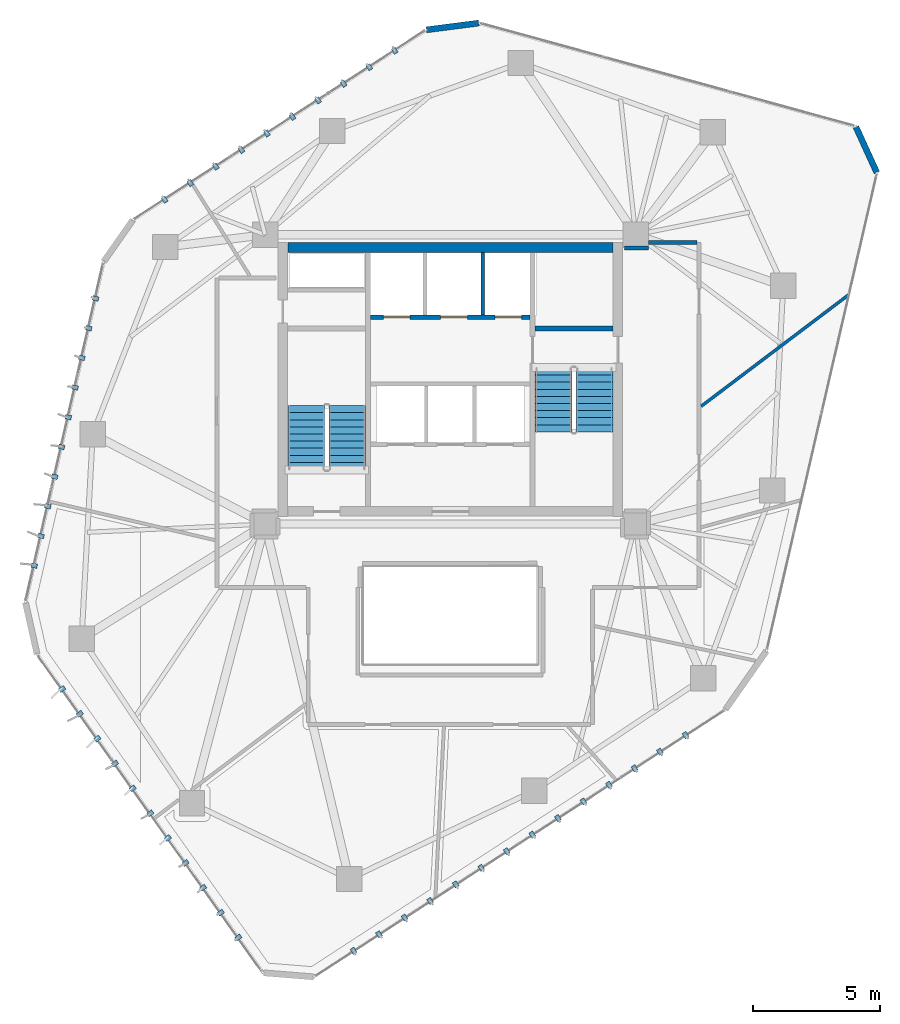
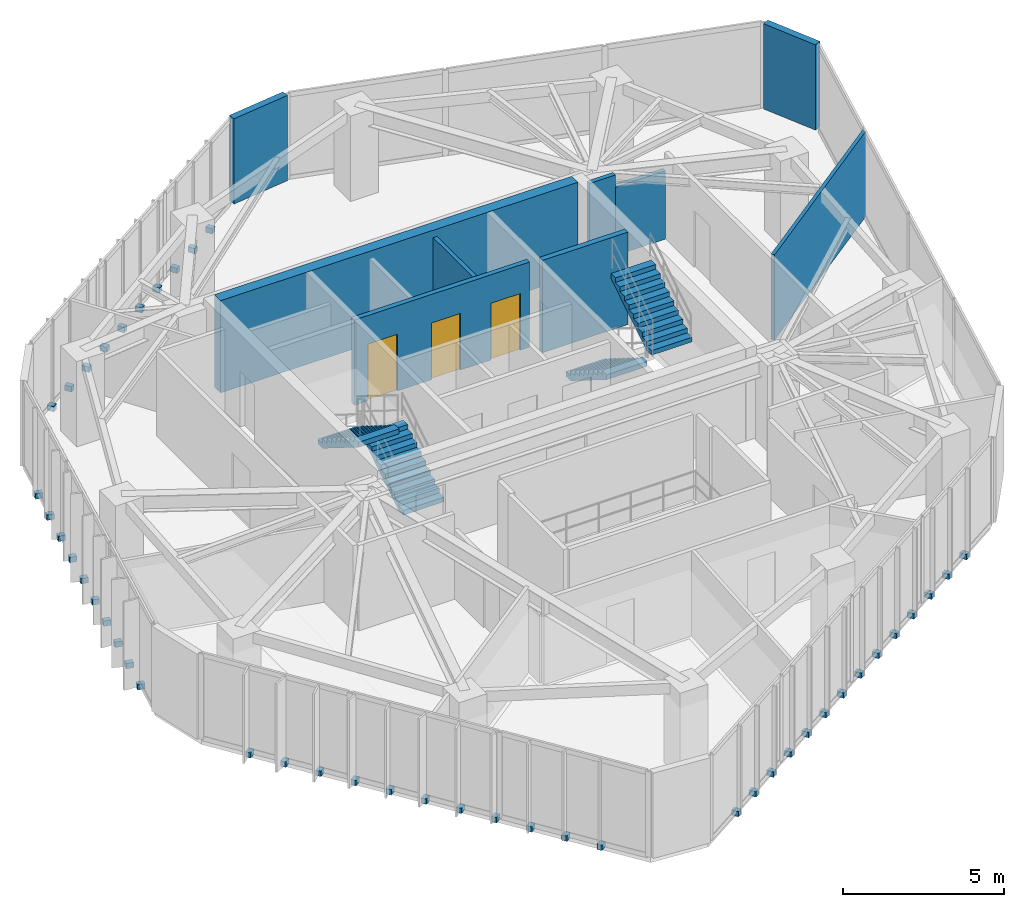
# One storey, part 16 of 18: 45 discrete accessories, 9 walls, 4 stair flights, 3 doors, 3 openings, 2 elements without a shape of their own.
"""IFC4 building model written with IfcOpenShell, lengths in metres."""

from ifc_helpers import new_model, si_unit, direction, frame, frame_2d, origin, origin_2d, place, context, subcontext, project, spatial, polyline, rectangle, outline, extrude, source, transform, mapped, material, layer, layer_set, type_object, type_shapes, element, fill, aggregate, save


model = new_model("IFC4")

# Units and contexts
model_context = context("Model", 3, precision=1e-05, world=origin(), true_north=direction((0.0, 1.0)))
body_context = subcontext(model_context, "Body", "Model", "MODEL_VIEW")
ifc_project = project(units=[si_unit("LENGTHUNIT", "METRE"), si_unit("AREAUNIT", "SQUARE_METRE"), si_unit("VOLUMEUNIT", "CUBIC_METRE"), si_unit("PLANEANGLEUNIT", "RADIAN"), si_unit("MASSUNIT", "GRAM", prefix="KILO")], contexts=[model_context])

# Site, building, storey
site_placement = place(None, origin())
site = spatial("IfcSite", under=ifc_project, at=site_placement, CompositionType="ELEMENT")
building_placement = place(site_placement, origin())
building = spatial("IfcBuilding", under=site, at=building_placement, Name="Talar Marvaseh", CompositionType="ELEMENT")
storey_placement = place(building_placement, frame((0.0, 0.0, 188.0)))
storey = spatial("IfcBuildingStorey", under=building, at=storey_placement, Name="L49", CompositionType="ELEMENT", Elevation=188.0)

# Walls
ifc_material_1 = material(Name="Precast concrete C45/55", Category="concrete")
ifc_layer_1 = layer(ifc_material_1, 0.239990234375)
ifc_layer_set_1 = layer_set([ifc_layer_1], Name="Precast concrete C45/55")
wall_type_1 = type_object("IfcWallType", Name="Chamfered Hexagonal Corner Pier Wall Z3 240", PredefinedType="SOLIDWALL", material=ifc_layer_set_1)
wall_1_placement = place(storey_placement, frame((25.05517578125, 44.9736328125, 0.0), z_axis=(0.0, 0.0, 1.0), x_axis=(0.991728978955, 0.12834964862, 0.0)))
element("IfcWall", 1, at=wall_1_placement, inside=storey, type_object=wall_type_1, Name="L49 Chamfered Corner Limestone Pier 4", PredefinedType="SOLIDWALL", context=body_context, shape_type="SweptSolid", body=[
    extrude(rectangle(XDim=2.088623046875, YDim=0.239990234375, at=frame_2d((1.04443359375, 0.0))), origin(), (0.0, 0.0, 1.0), 3.22998046875),
])
wall_2_placement = place(storey_placement, frame((41.980712890625, 41.147705078125, 0.0), z_axis=(0.0, 0.0, 1.0), x_axis=(0.415885201469, -0.909417120577, 0.0)))
element("IfcWall", 2, at=wall_2_placement, inside=storey, type_object=wall_type_1, Name="L49 Chamfered Corner Limestone Pier 5", PredefinedType="SOLIDWALL", context=body_context, shape_type="SweptSolid", body=[
    extrude(rectangle(XDim=1.977783203125, YDim=0.239990234375, at=frame_2d((0.98876953125, 0.0))), origin(), (0.0, 0.0, 1.0), 3.22998046875),
])
ifc_material_2 = material(Name="Gypsum Board Partition Assembly")
ifc_layer_2 = layer(ifc_material_2, 0.155029296875)
ifc_layer_set_2 = layer_set([ifc_layer_2], Name="Gypsum Board Partition Assembly")
wall_type_2 = type_object("IfcWallType", Name="Corridor Fire-Rated Acoustic Partition 155", PredefinedType="PARTITIONING", material=ifc_layer_set_2)
wall_3_placement = place(storey_placement, frame((32.8701171875, 36.385009765625, 0.0), z_axis=(0.0, 0.0, 1.0), x_axis=(0.999999965754, 0.000261711585, 0.0)))
element("IfcWall", 3, at=wall_3_placement, inside=storey, type_object=wall_type_2, Name="L49 Interior Partition Wall", PredefinedType="PARTITIONING", context=body_context, shape_type="SweptSolid", body=[
    extrude(rectangle(XDim=0.932861328125, YDim=0.155029296875, at=frame_2d((0.46630859375, 0.0))), origin(), (0.0, 0.0, 1.0), 3.22998046875),
])
wall_4_placement = place(storey_placement, frame((33.81494140625, 36.60009765625, 0.0), z_axis=(0.0, 0.0, 1.0), x_axis=(1.0, 0.0, 0.0)))
element("IfcWall", 4, at=wall_4_placement, inside=storey, type_object=wall_type_2, Name="L49 Interior Partition Wall", PredefinedType="PARTITIONING", context=body_context, shape_type="SweptSolid", body=[
    extrude(rectangle(XDim=1.901611328125, YDim=0.155029296875, at=frame_2d((0.95068359375, 0.0))), origin(), (0.0, 0.0, 1.0), 2.589111328125),
])
ifc_layer_3 = layer(ifc_material_2, 0.1201171875)
ifc_layer_set_3 = layer_set([ifc_layer_3], Name="Gypsum Board Partition Assembly")
wall_type_3 = type_object("IfcWallType", Name="Demountable Studio Room Partition 120", PredefinedType="PARTITIONING", material=ifc_layer_set_3)
wall_5_placement = place(storey_placement, frame((35.883544921875, 30.14306640625, 0.0), z_axis=(0.0, 0.0, 1.0), x_axis=(0.797779052735, 0.602949900918, 0.0)))
element("IfcWall", 5, at=wall_5_placement, inside=storey, type_object=wall_type_3, Name="L49 Interior Partition Wall", PredefinedType="PARTITIONING", context=body_context, shape_type="SweptSolid", body=[
    extrude(rectangle(XDim=7.27294921875, YDim=0.1201171875, at=frame_2d((3.636474609375, 0.0))), origin(), (0.0, 0.0, 1.0), 3.22998046875),
])
ifc_layer_4 = layer(ifc_material_1, 0.14501953125)
ifc_layer_set_4 = layer_set([ifc_layer_4], Name="Precast concrete C45/55")
wall_type_4 = type_object("IfcWallType", Name="Fire-Rated Lift Divider Wall 145", PredefinedType="SOLIDWALL", material=ifc_layer_set_4)
wall_6_placement = place(storey_placement, frame((27.280029296875, 33.743408203125, 0.0), z_axis=(0.0, 0.0, 1.0), x_axis=(0.0, 1.0, 0.0)))
element("IfcWall", 6, at=wall_6_placement, inside=storey, type_object=wall_type_4, Name="L49 FFL-2/SVL-1 Divider", PredefinedType="SOLIDWALL", context=body_context, shape_type="SweptSolid", body=[
    extrude(rectangle(XDim=2.45654296875, YDim=0.14501953125, at=frame_2d((1.228271484375, 0.0))), origin(), (0.0, 0.0, 1.0), 3.22998046875),
])

# Wall, openings, doors
ifc_layer_5 = layer(ifc_material_1, 0.175048828125)
ifc_layer_set_5 = layer_set([ifc_layer_5], Name="Precast concrete C45/55")
wall_type_5 = type_object("IfcWallType", Name="Fire-Rated Lift Hoistway Enclosure Wall 175", PredefinedType="SOLIDWALL", material=ifc_layer_set_5)
wall_7_placement = place(storey_placement, frame((22.860107421875, 33.64990234375, 0.0), z_axis=(0.0, 0.0, 1.0), x_axis=(1.0, 0.0, 0.0)))
wall_7 = element("IfcWall", 7, at=wall_7_placement, inside=storey, type_object=wall_type_5, Name="L49 Firefighting and Service Lift Front Wall", PredefinedType="SOLIDWALL", context=body_context, shape_type="SweptSolid", body=[
    extrude(rectangle(XDim=6.27978515625, YDim=0.175048828125, at=frame_2d((3.139892578125, 0.0))), origin(), (0.0, 0.0, 1.0), 3.22998046875),
])
opening_1_placement = place(wall_7_placement, frame((0.5, 0.0, 0.0)))
opening_1 = element("IfcOpeningElement", 8, at=opening_1_placement, cuts=wall_7, Name="Opening LD-FF1", PredefinedType="OPENING", context=body_context, shape_type="SweptSolid", body=[
    extrude(rectangle(XDim=1.050048828125, YDim=2.14990234375, at=frame_2d((0.52490234375, 1.074951171875))), frame((0.0, 0.09765625, 0.0), z_axis=(0.0, -1.0, 0.0), x_axis=(1.0, 0.0, 0.0)), (0.0, 0.0, 1.0), 0.195068359375),
])
opening_2_placement = place(wall_7_placement, frame((2.760009765625, 0.0, 0.0)))
opening_2 = element("IfcOpeningElement", 9, at=opening_2_placement, cuts=wall_7, Name="Opening LD-FF2", PredefinedType="OPENING", context=body_context, shape_type="SweptSolid", body=[
    extrude(rectangle(XDim=1.050048828125, YDim=2.14990234375, at=frame_2d((0.52490234375, 1.074951171875))), frame((0.0, 0.09765625, 0.0), z_axis=(0.0, -1.0, 0.0), x_axis=(1.0, 0.0, 0.0)), (0.0, 0.0, 1.0), 0.195068359375),
])
opening_3_placement = place(wall_7_placement, frame((4.89990234375, 0.0, 0.0)))
opening_3 = element("IfcOpeningElement", 10, at=opening_3_placement, cuts=wall_7, Name="Opening LD-SV1", PredefinedType="OPENING", context=body_context, shape_type="SweptSolid", body=[
    extrude(rectangle(XDim=1.050048828125, YDim=2.14990234375, at=frame_2d((0.52490234375, 1.074951171875))), frame((0.0, 0.09765625, 0.0), z_axis=(0.0, -1.0, 0.0), x_axis=(1.0, 0.0, 0.0)), (0.0, 0.0, 1.0), 0.195068359375),
])
ifc_material_3 = material(Name="Stainless Steel Grade 316", Category="steel")
door_type = type_object("IfcDoorType", Name="Automatic Sliding Lift Landing Door 1050x2150", OperationType="NOTDEFINED", PredefinedType="DOOR", material=ifc_material_3)
shared_shape_1 = source(origin(), body_context, "Body", "SweptSolid", [
    extrude(rectangle(XDim=1.050048828125, YDim=2.14990234375, at=frame_2d((0.52490234375, 1.074951171875))), frame((0.0, 0.02490234375, 0.0), z_axis=(0.0, -1.0, 0.0), x_axis=(1.0, 0.0, 0.0)), (0.0, 0.0, 1.0), 0.050048828125),
])
type_shapes(door_type, [shared_shape_1])
door_1_placement = place(opening_1_placement, origin())
door_1 = element("IfcDoor", 11, at=door_1_placement, inside=storey, type_object=door_type, Name="L49 Lift FFL-1 Sliding Landing Door", OperationType="SLIDING_TO_LEFT", OverallHeight=2.14990234375, OverallWidth=1.050048828125, PredefinedType="DOOR", context=body_context, shape_type="MappedRepresentation", body=[
    mapped(shared_shape_1, transform((0.0, 0.0, 0.0), x_axis=(1.0, 0.0, 0.0), y_axis=(0.0, 1.0, 0.0), z_axis=(0.0, 0.0, 1.0), scale=1.0)),
])
fill(opening_1, door_1)
door_2_placement = place(opening_2_placement, origin())
door_2 = element("IfcDoor", 12, at=door_2_placement, inside=storey, type_object=door_type, Name="L49 Lift FFL-2 Sliding Landing Door", OperationType="SLIDING_TO_LEFT", OverallHeight=2.14990234375, OverallWidth=1.050048828125, PredefinedType="DOOR", context=body_context, shape_type="MappedRepresentation", body=[
    mapped(shared_shape_1, transform((0.0, 0.0, 0.0), x_axis=(1.0, 0.0, 0.0), y_axis=(0.0, 1.0, 0.0), z_axis=(0.0, 0.0, 1.0), scale=1.0)),
])
fill(opening_2, door_2)
door_3_placement = place(opening_3_placement, origin())
door_3 = element("IfcDoor", 13, at=door_3_placement, inside=storey, type_object=door_type, Name="L49 Lift SVL-1 Sliding Landing Door", OperationType="SLIDING_TO_LEFT", OverallHeight=2.14990234375, OverallWidth=1.050048828125, PredefinedType="DOOR", context=body_context, shape_type="MappedRepresentation", body=[
    mapped(shared_shape_1, transform((0.0, 0.0, 0.0), x_axis=(1.0, 0.0, 0.0), y_axis=(0.0, 1.0, 0.0), z_axis=(0.0, 0.0, 1.0), scale=1.0)),
])
fill(opening_3, door_3)

# Walls
ifc_material_4 = material(Name="Concrete C60/75", Category="concrete")
ifc_layer_6 = layer(ifc_material_4, 0.3798828125)
ifc_layer_set_6 = layer_set([ifc_layer_6], Name="Concrete C60/75")
wall_type_6 = type_object("IfcWallType", Name="Mid Core Reinforced Concrete Shear Wall 380", PredefinedType="SHEAR", material=ifc_layer_set_6)
wall_8_placement = place(storey_placement, frame((19.60009765625, 36.39990234375, 0.0), z_axis=(0.0, 0.0, 1.0), x_axis=(1.0, 0.0, 0.0)))
element("IfcWall", 14, at=wall_8_placement, inside=storey, type_object=wall_type_6, Name="L49 North Core Shear Wall", PredefinedType="SHEAR", context=body_context, shape_type="SweptSolid", body=[
    extrude(rectangle(XDim=12.7998046875, YDim=0.3798828125, at=frame_2d((6.39990234375, 0.0))), origin(), (0.0, 0.0, 1.0), 3.5),
])
ifc_material_5 = material(Name="Concrete C50/60", Category="concrete")
ifc_layer_7 = layer(ifc_material_5, 0.199951171875)
ifc_layer_set_7 = layer_set([ifc_layer_7], Name="Concrete C50/60")
wall_type_7 = type_object("IfcWallType", Name="Stair Shaft Structural Concrete Shear Wall 200", PredefinedType="SHEAR", material=ifc_layer_set_7)
wall_9_placement = place(storey_placement, frame((29.340087890625, 33.199951171875, 0.0), z_axis=(0.0, 0.0, 1.0), x_axis=(1.0, 0.0, 0.0)))
element("IfcWall", 15, at=wall_9_placement, inside=storey, type_object=wall_type_7, Name="L49 Stair ST-2 North Shear Wall", PredefinedType="SHEAR", context=body_context, shape_type="SweptSolid", body=[
    extrude(rectangle(XDim=3.059814453125, YDim=0.199951171875, at=frame_2d((1.52978515625, 0.0))), origin(), (0.0, 0.0, 1.0), 3.5),
])

# Stair, stair flights
ifc_material_6 = material(Name="Concrete C40/50", Category="concrete")
stair_type = type_object("IfcStairType", Name="Reinforced Concrete High-Rise Exit Stair Type C", PredefinedType="HALF_TURN_STAIR", material=ifc_material_6)
stair_1_placement = place(storey_placement, origin())
stair_1 = element("IfcStair", 16, at=stair_1_placement, inside=storey, type_object=stair_type, Name="L49 Tower West Core Exit Stair", PredefinedType="HALF_TURN_STAIR")
ifc_layer_8 = layer(ifc_material_6, 0.159912109375)
ifc_layer_set_8 = layer_set([ifc_layer_8], Name="Concrete C40/50")
stair_flight_type = type_object("IfcStairFlightType", Name="Reinforced Concrete Straight Stair Flight 160", PredefinedType="STRAIGHT", material=ifc_layer_set_8)
stair_flight_1_placement = place(storey_placement, frame((21.93505859375, 27.64990234375, 0.0), z_axis=(0.0, 0.0, 1.0), x_axis=(0.0, 1.0, 0.0)))
stair_flight_1 = element("IfcStairFlight", 17, at=stair_flight_1_placement, type_object=stair_flight_type, Name="ST-1 flight 1", NumberOfRisers=10, NumberOfTreads=9, PredefinedType="STRAIGHT", RiserHeight=0.175, TreadLength=0.28, context=body_context, shape_type="SweptSolid", body=[
    extrude(outline(polyline([(0.0, 0.0), (0.0, 0.175048828125), (0.280029296875, 0.175048828125), (0.280029296875, 0.35009765625), (0.56005859375, 0.35009765625), (0.56005859375, 0.52490234375), (0.840087890625, 0.52490234375), (0.840087890625, 0.699951171875), (1.1201171875, 0.699951171875), (1.1201171875, 0.875), (1.39990234375, 0.875), (1.39990234375, 1.050048828125), (1.679931640625, 1.050048828125), (1.679931640625, 1.22509765625), (1.9599609375, 1.22509765625), (1.9599609375, 1.39990234375), (2.239990234375, 1.39990234375), (2.239990234375, 1.574951171875), (2.52001953125, 1.574951171875), (2.52001953125, 1.75), (2.52001953125, 1.386474609375), (0.3017578125, 0.0), (0.0, 0.0)])), frame((0.0, 0.72509765625, 0.0), z_axis=(0.0, -1.0, 0.0), x_axis=(1.0, 0.0, 0.0)), (0.0, 0.0, 1.0), 1.449951171875),
])
stair_flight_2_placement = place(storey_placement, frame((20.324951171875, 30.169921875, 1.75), z_axis=(0.0, 0.0, 1.0), x_axis=(0.0, -1.0, 0.0)))
stair_flight_2 = element("IfcStairFlight", 18, at=stair_flight_2_placement, type_object=stair_flight_type, Name="ST-1 flight 2", NumberOfRisers=10, NumberOfTreads=9, PredefinedType="STRAIGHT", RiserHeight=0.175, TreadLength=0.28, context=body_context, shape_type="SweptSolid", body=[
    extrude(outline(polyline([(0.0, 0.0), (0.0, 0.175048828125), (0.280029296875, 0.175048828125), (0.280029296875, 0.35009765625), (0.56005859375, 0.35009765625), (0.56005859375, 0.52490234375), (0.840087890625, 0.52490234375), (0.840087890625, 0.699951171875), (1.1201171875, 0.699951171875), (1.1201171875, 0.875), (1.39990234375, 0.875), (1.39990234375, 1.050048828125), (1.679931640625, 1.050048828125), (1.679931640625, 1.22509765625), (1.9599609375, 1.22509765625), (1.9599609375, 1.39990234375), (2.239990234375, 1.39990234375), (2.239990234375, 1.574951171875), (2.52001953125, 1.574951171875), (2.52001953125, 1.75), (2.52001953125, 1.386474609375), (0.3017578125, 0.0), (0.0, 0.0)])), frame((0.0, 0.72509765625, 0.0), z_axis=(0.0, -1.0, 0.0), x_axis=(1.0, 0.0, 0.0)), (0.0, 0.0, 1.0), 1.449951171875),
])
aggregate(stair_1, [stair_flight_1, stair_flight_2])

stair_2_placement = place(storey_placement, origin())
stair_2 = element("IfcStair", 19, at=stair_2_placement, inside=storey, type_object=stair_type, Name="L49 Tower East Core Exit Stair", PredefinedType="HALF_TURN_STAIR")
stair_flight_3_placement = place(storey_placement, frame((30.06494140625, 31.64990234375, 0.0), z_axis=(0.0, 0.0, 1.0), x_axis=(0.0, -1.0, 0.0)))
stair_flight_3 = element("IfcStairFlight", 20, at=stair_flight_3_placement, type_object=stair_flight_type, Name="ST-2 flight 1", NumberOfRisers=10, NumberOfTreads=9, PredefinedType="STRAIGHT", RiserHeight=0.175, TreadLength=0.28, context=body_context, shape_type="SweptSolid", body=[
    extrude(outline(polyline([(0.0, 0.0), (0.0, 0.175048828125), (0.280029296875, 0.175048828125), (0.280029296875, 0.35009765625), (0.56005859375, 0.35009765625), (0.56005859375, 0.52490234375), (0.840087890625, 0.52490234375), (0.840087890625, 0.699951171875), (1.1201171875, 0.699951171875), (1.1201171875, 0.875), (1.39990234375, 0.875), (1.39990234375, 1.050048828125), (1.679931640625, 1.050048828125), (1.679931640625, 1.22509765625), (1.9599609375, 1.22509765625), (1.9599609375, 1.39990234375), (2.239990234375, 1.39990234375), (2.239990234375, 1.574951171875), (2.52001953125, 1.574951171875), (2.52001953125, 1.75), (2.52001953125, 1.386474609375), (0.3017578125, 0.0), (0.0, 0.0)])), frame((0.0, 0.72509765625, 0.0), z_axis=(0.0, -1.0, 0.0), x_axis=(1.0, 0.0, 0.0)), (0.0, 0.0, 1.0), 1.449951171875),
])
stair_flight_4_placement = place(storey_placement, frame((31.675048828125, 29.1298828125, 1.75), z_axis=(0.0, 0.0, 1.0), x_axis=(0.0, 1.0, 0.0)))
stair_flight_4 = element("IfcStairFlight", 21, at=stair_flight_4_placement, type_object=stair_flight_type, Name="ST-2 flight 2", NumberOfRisers=10, NumberOfTreads=9, PredefinedType="STRAIGHT", RiserHeight=0.175, TreadLength=0.28, context=body_context, shape_type="SweptSolid", body=[
    extrude(outline(polyline([(0.0, 0.0), (0.0, 0.175048828125), (0.280029296875, 0.175048828125), (0.280029296875, 0.35009765625), (0.56005859375, 0.35009765625), (0.56005859375, 0.52490234375), (0.840087890625, 0.52490234375), (0.840087890625, 0.699951171875), (1.1201171875, 0.699951171875), (1.1201171875, 0.875), (1.39990234375, 0.875), (1.39990234375, 1.050048828125), (1.679931640625, 1.050048828125), (1.679931640625, 1.22509765625), (1.9599609375, 1.22509765625), (1.9599609375, 1.39990234375), (2.239990234375, 1.39990234375), (2.239990234375, 1.574951171875), (2.52001953125, 1.574951171875), (2.52001953125, 1.75), (2.52001953125, 1.386474609375), (0.3017578125, 0.0), (0.0, 0.0)])), frame((0.0, 0.72509765625, 0.0), z_axis=(0.0, -1.0, 0.0), x_axis=(1.0, 0.0, 0.0)), (0.0, 0.0, 1.0), 1.449951171875),
])
aggregate(stair_2, [stair_flight_3, stair_flight_4])

# Discrete accessories
discrete_accessory_type = type_object("IfcDiscreteAccessoryType", Name="Stainless Slab-Edge Fin Mounting Bracket", PredefinedType="BRACKET", material=ifc_material_3)
shared_shape_2 = source(origin(), body_context, "Body", "SweptSolid", [
    extrude(rectangle(XDim=0.239990234375, YDim=0.179931640625, at=origin_2d()), origin(), (0.0, 0.0, 1.0), 0.199951171875),
])
type_shapes(discrete_accessory_type, [shared_shape_2])
for number, where, z_axis, x_axis, name in (
    (22, (17.6474609375, 9.213623046875, -0.18017578125), (0.0, 0.0, 1.0), (-0.815633003474, -0.578569618666, 0.0), "L49 Vertical Fin Slab-Edge Bracket"),
    (23, (16.953125, 10.1923828125, -0.18017578125), (0.0, 0.0, 1.0), (-0.815633003474, -0.578569618666, 0.0), "L49 Vertical Fin Slab-Edge Bracket"),
    (24, (16.259033203125, 11.171142578125, -0.18017578125), (0.0, 0.0, 1.0), (-0.815633003474, -0.578569618666, 0.0), "L49 Vertical Fin Slab-Edge Bracket"),
    (25, (15.564697265625, 12.14990234375, -0.18017578125), (0.0, 0.0, 1.0), (-0.815633003474, -0.578569618666, 0.0), "L49 Vertical Fin Slab-Edge Bracket"),
    (26, (14.87060546875, 13.12890625, -0.18017578125), (0.0, 0.0, 1.0), (-0.815633003474, -0.578569618666, 0.0), "L49 Vertical Fin Slab-Edge Bracket"),
    (27, (14.176513671875, 14.107666015625, -0.18017578125), (0.0, 0.0, 1.0), (-0.815633003474, -0.578569618666, 0.0), "L49 Vertical Fin Slab-Edge Bracket"),
    (28, (13.482177734375, 15.08642578125, -0.18017578125), (0.0, 0.0, 1.0), (-0.815633003474, -0.578569618666, 0.0), "L49 Vertical Fin Slab-Edge Bracket"),
    (29, (12.787841796875, 16.065185546875, -0.18017578125), (0.0, 0.0, 1.0), (-0.815633003474, -0.578569618666, 0.0), "L49 Vertical Fin Slab-Edge Bracket"),
    (30, (12.09375, 17.044189453125, -0.18017578125), (0.0, 0.0, 1.0), (-0.815633003474, -0.578569618666, 0.0), "L49 Vertical Fin Slab-Edge Bracket"),
    (31, (11.3994140625, 18.02294921875, -0.18017578125), (0.0, 0.0, 1.0), (-0.815633003474, -0.578569618666, 0.0), "L49 Vertical Fin Slab-Edge Bracket"),
    (32, (10.705322265625, 19.001708984375, -0.18017578125), (0.0, 0.0, 1.0), (-0.815633003474, -0.578569618666, 0.0), "L49 Vertical Fin Slab-Edge Bracket"),
    (33, (9.6044921875, 23.8623046875, -0.18017578125), (0.0, 0.0, 1.0), (-0.974644167091, 0.223760469153, 0.0), "L49 Vertical Fin Slab-Edge Bracket"),
    (34, (9.873046875, 25.031982421875, -0.18017578125), (0.0, 0.0, 1.0), (-0.974644167091, 0.223760469153, 0.0), "L49 Vertical Fin Slab-Edge Bracket"),
    (35, (10.1416015625, 26.201416015625, -0.18017578125), (0.0, 0.0, 1.0), (-0.974644167091, 0.223760469153, 0.0), "L49 Vertical Fin Slab-Edge Bracket"),
    (36, (10.41015625, 27.37109375, -0.18017578125), (0.0, 0.0, 1.0), (-0.974644167091, 0.223760469153, 0.0), "L49 Vertical Fin Slab-Edge Bracket"),
    (37, (10.6787109375, 28.54052734375, -0.18017578125), (0.0, 0.0, 1.0), (-0.974644167091, 0.223760469153, 0.0), "L49 Vertical Fin Slab-Edge Bracket"),
    (38, (10.947265625, 29.710205078125, -0.18017578125), (0.0, 0.0, 1.0), (-0.974644167091, 0.223760469153, 0.0), "L49 Vertical Fin Slab-Edge Bracket"),
    (39, (11.2158203125, 30.879638671875, -0.18017578125), (0.0, 0.0, 1.0), (-0.974644167091, 0.223760469153, 0.0), "L49 Vertical Fin Slab-Edge Bracket"),
    (40, (11.484619140625, 32.04931640625, -0.18017578125), (0.0, 0.0, 1.0), (-0.974644167091, 0.223760469153, 0.0), "L49 Vertical Fin Slab-Edge Bracket"),
    (41, (11.7529296875, 33.21875, -0.18017578125), (0.0, 0.0, 1.0), (-0.974644167091, 0.223760469153, 0.0), "L49 Vertical Fin Slab-Edge Bracket"),
    (42, (12.021484375, 34.388427734375, -0.18017578125), (0.0, 0.0, 1.0), (-0.974644167091, 0.223760469153, 0.0), "L49 Vertical Fin Slab-Edge Bracket"),
    (43, (14.74609375, 38.279541015625, -0.18017578125), (0.0, 0.0, 1.0), (-0.543613999406, 0.839335343977, 0.0), "L49 Vertical Fin Slab-Edge Bracket"),
    (44, (15.75341796875, 38.931884765625, -0.18017578125), (0.0, 0.0, 1.0), (-0.543613999406, 0.839335343977, 0.0), "L49 Vertical Fin Slab-Edge Bracket"),
    (45, (16.760498046875, 39.584228515625, -0.18017578125), (0.0, 0.0, 1.0), (-0.543613999406, 0.839335343977, 0.0), "L49 Vertical Fin Slab-Edge Bracket"),
    (46, (17.767578125, 40.236572265625, -0.18017578125), (0.0, 0.0, 1.0), (-0.543613999406, 0.839335343977, 0.0), "L49 Vertical Fin Slab-Edge Bracket"),
    (47, (18.77490234375, 40.888916015625, -0.18017578125), (0.0, 0.0, 1.0), (-0.543613999406, 0.839335343977, 0.0), "L49 Vertical Fin Slab-Edge Bracket"),
    (48, (19.781982421875, 41.541259765625, -0.18017578125), (0.0, 0.0, 1.0), (-0.543613999406, 0.839335343977, 0.0), "L49 Vertical Fin Slab-Edge Bracket"),
    (49, (20.789306640625, 42.193603515625, -0.18017578125), (0.0, 0.0, 1.0), (-0.543613999406, 0.839335343977, 0.0), "L49 Vertical Fin Slab-Edge Bracket"),
    (50, (21.79638671875, 42.845947265625, -0.18017578125), (0.0, 0.0, 1.0), (-0.543613999406, 0.839335343977, 0.0), "L49 Vertical Fin Slab-Edge Bracket"),
    (51, (22.8037109375, 43.498291015625, -0.18017578125), (0.0, 0.0, 1.0), (-0.543613999406, 0.839335343977, 0.0), "L49 Vertical Fin Slab-Edge Bracket"),
    (52, (23.810791015625, 44.15087890625, -0.18017578125), (0.0, 0.0, 1.0), (-0.543613999406, 0.839335343977, 0.0), "L49 Vertical Fin Slab-Edge Bracket"),
    (53, (35.267578125, 17.186767578125, -0.18017578125), (0.0, 0.0, 1.0), (0.544785402346, -0.838575497728, 0.0), "L49 Vertical Fin Slab-Edge Bracket"),
    (54, (34.26123046875, 16.532958984375, -0.18017578125), (0.0, 0.0, 1.0), (0.544785402346, -0.838575497728, 0.0), "L49 Vertical Fin Slab-Edge Bracket"),
    (55, (33.2548828125, 15.87939453125, -0.18017578125), (0.0, 0.0, 1.0), (0.544785402346, -0.838575497728, 0.0), "L49 Vertical Fin Slab-Edge Bracket"),
    (56, (32.24853515625, 15.2255859375, -0.18017578125), (0.0, 0.0, 1.0), (0.544785402346, -0.838575497728, 0.0), "L49 Vertical Fin Slab-Edge Bracket"),
    (57, (31.2421875, 14.572021484375, -0.18017578125), (0.0, 0.0, 1.0), (0.544785402346, -0.838575497728, 0.0), "L49 Vertical Fin Slab-Edge Bracket"),
    (58, (30.236083984375, 13.918212890625, -0.18017578125), (0.0, 0.0, 1.0), (0.544785402346, -0.838575497728, 0.0), "L49 Vertical Fin Slab-Edge Bracket"),
    (59, (29.229736328125, 13.264404296875, -0.18017578125), (0.0, 0.0, 1.0), (0.544785402346, -0.838575497728, 0.0), "L49 Vertical Fin Slab-Edge Bracket"),
    (60, (28.223388671875, 12.610595703125, -0.18017578125), (0.0, 0.0, 1.0), (0.544785402346, -0.838575497728, 0.0), "L49 Vertical Fin Slab-Edge Bracket"),
    (61, (27.217041015625, 11.95703125, -0.18017578125), (0.0, 0.0, 1.0), (0.544785402346, -0.838575497728, 0.0), "L49 Vertical Fin Slab-Edge Bracket"),
    (62, (26.210693359375, 11.30322265625, -0.18017578125), (0.0, 0.0, 1.0), (0.544785402346, -0.838575497728, 0.0), "L49 Vertical Fin Slab-Edge Bracket"),
    (63, (25.20458984375, 10.6494140625, -0.18017578125), (0.0, 0.0, 1.0), (0.544785402346, -0.838575497728, 0.0), "L49 Vertical Fin Slab-Edge Bracket"),
    (64, (24.1982421875, 9.995849609375, -0.18017578125), (0.0, 0.0, 1.0), (0.544785402346, -0.838575497728, 0.0), "L49 Vertical Fin Slab-Edge Bracket"),
    (65, (23.19189453125, 9.342041015625, -0.18017578125), (0.0, 0.0, 1.0), (0.544785402346, -0.838575497728, 0.0), "L49 Vertical Fin Slab-Edge Bracket"),
    (66, (22.185546875, 8.688232421875, -0.18017578125), (0.0, 0.0, 1.0), (0.544785402346, -0.838575497728, 0.0), "L49 Vertical Fin Slab-Edge Bracket"),
):
    element("IfcDiscreteAccessory", number, at=place(storey_placement, frame(where, z_axis=z_axis, x_axis=x_axis)), inside=storey, type_object=discrete_accessory_type, Name=name, PredefinedType="BRACKET", context=body_context, shape_type="MappedRepresentation", body=[
        mapped(shared_shape_2, transform((0.0, 0.0, 0.0), x_axis=(1.0, 0.0, 0.0), y_axis=(0.0, 1.0, 0.0), z_axis=(0.0, 0.0, 1.0), scale=1.0)),
    ])

save(model, "model.ifc")
